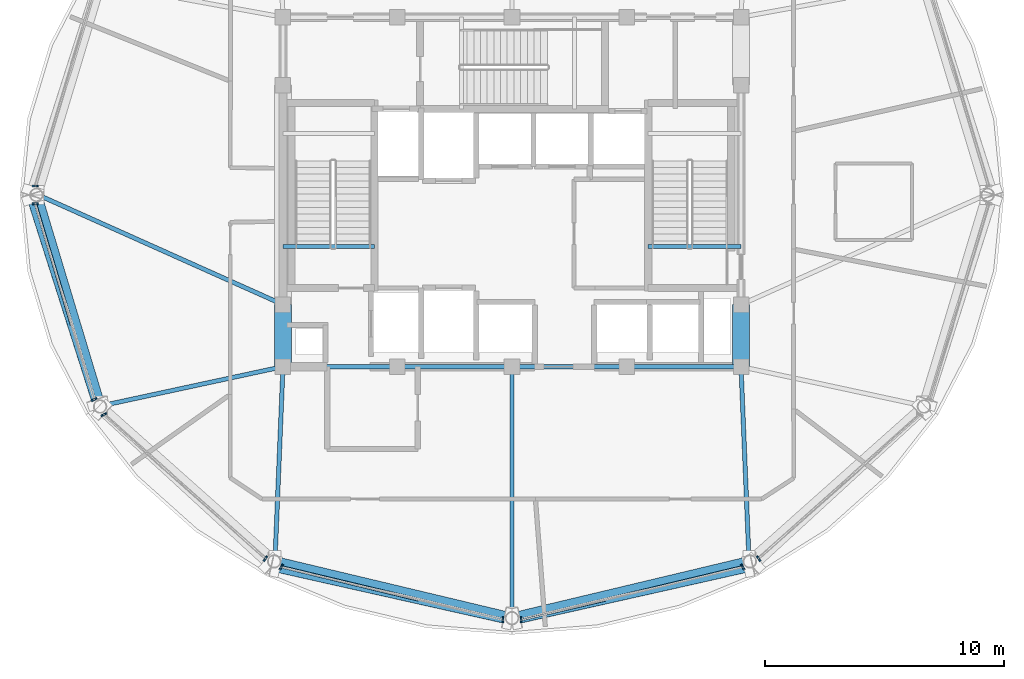
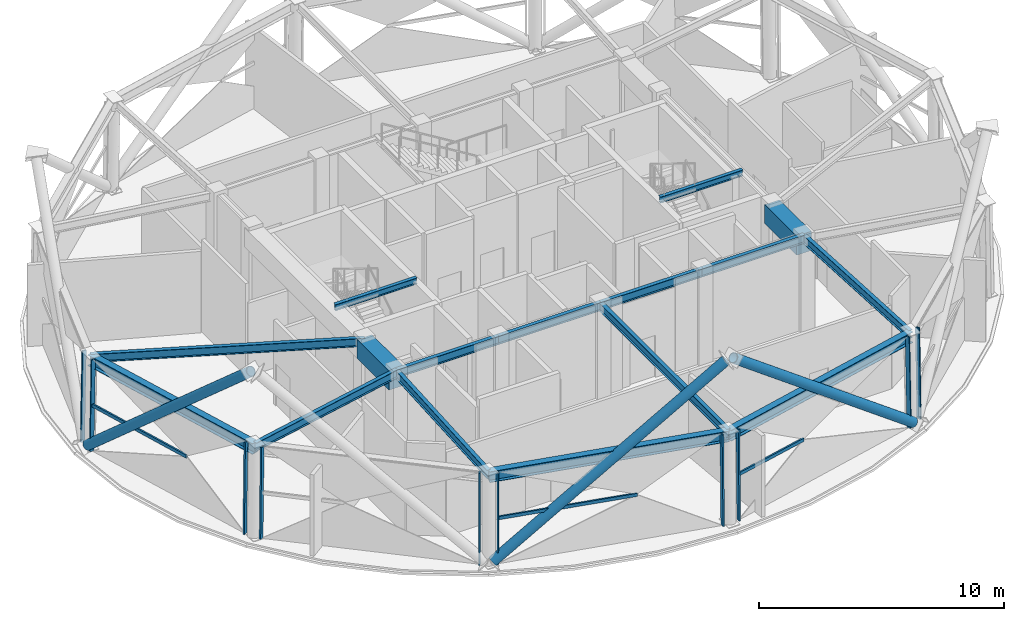
# One storey, part 2 of 14: 16 beams, 16 members, 6 elements without a shape of their own.
"""IFC4 building model written with IfcOpenShell, lengths in metres."""

from ifc_helpers import new_model, si_unit, direction, frame, origin, origin_2d, place, context, subcontext, project, spatial, rectangle, hollow_rectangle, hollow_circle, i_section, extrude, material, layer, layer_set, material_profile, profile_set, type_object, element, aggregate, save


model = new_model("IFC4")

# Units and contexts
model_context = context("Model", 3, precision=1e-05, world=origin(), true_north=direction((0.0, 1.0)))
body_context = subcontext(model_context, "Body", "Model", "MODEL_VIEW")
ifc_project = project(units=[si_unit("LENGTHUNIT", "METRE"), si_unit("AREAUNIT", "SQUARE_METRE"), si_unit("VOLUMEUNIT", "CUBIC_METRE"), si_unit("PLANEANGLEUNIT", "RADIAN"), si_unit("MASSUNIT", "GRAM", prefix="KILO")], contexts=[model_context])

# Site, building, storey
site_placement = place(None, origin())
site = spatial("IfcSite", under=ifc_project, at=site_placement, CompositionType="ELEMENT")
building_placement = place(site_placement, origin())
building = spatial("IfcBuilding", under=site, at=building_placement, Name="Vantalir Tower", CompositionType="ELEMENT")
storey_placement = place(building_placement, frame((0.0, 0.0, 259.050048828125)))
storey = spatial("IfcBuildingStorey", under=building, at=storey_placement, Name="L65", CompositionType="ELEMENT", Elevation=259.050048828125)

# Beams
ifc_material_1 = material(Name="Concrete C60/75", Category="concrete")
ifc_material_profile_1 = material_profile(ifc_material_1, rectangle(XDim=0.699951171875, YDim=0.949951171875, at=origin_2d()), Name="Concrete C60/75")
ifc_profile_set_1 = profile_set([ifc_material_profile_1], Name="Concrete C60/75")
beam_type_1 = type_object("IfcBeamType", Name="BM-CB-700x950", PredefinedType="USERDEFINED", material=ifc_profile_set_1)
for number, where, z_axis, x_axis, name in (
    (1, (41.10009765625, 17.800048828125, 4.14501953125), (0.0, 1.0, 0.0), (-1.0, 0.0, 0.0), "L65 Core Coupling Girder 05"),
    (2, (21.89990234375, 20.39990234375, 4.14501953125), (0.0, -1.0, 0.0), (1.0, 0.0, 0.0), "L65 Core Coupling Girder 14"),
):
    element("IfcBeam", number, at=place(storey_placement, frame(where, z_axis=z_axis, x_axis=x_axis)), inside=storey, type_object=beam_type_1, Name=name, ObjectType="GIRDER", PredefinedType="USERDEFINED", context=body_context, shape_type="SweptSolid", body=[
        extrude(rectangle(XDim=0.699951171875, YDim=0.949951171875, at=origin_2d()), origin(), (0.0, 0.0, 1.0), 2.599853515625),
    ])
ifc_material_2 = material(Name="Steel S355", Category="steel")
ifc_material_profile_2 = material_profile(ifc_material_2, i_section(OverallWidth=0.166015625, OverallDepth=0.306884765625, WebThickness=0.006591796875, FlangeThickness=0.01171875, at=origin_2d()), Name="Steel S355")
ifc_profile_set_2 = profile_set([ifc_material_profile_2], Name="Steel S355")
beam_type_2 = type_object("IfcBeamType", Name="BM-JS-305x165", PredefinedType="JOIST", material=ifc_profile_set_2)
beam_1_placement = place(storey_placement, frame((21.89990234375, 22.8349609375, 4.64599609375), z_axis=(1.0, 0.0, 0.0), x_axis=(0.0, 1.0, 0.0)))
element("IfcBeam", 3, at=beam_1_placement, inside=storey, type_object=beam_type_2, Name="L66 Stair ST1 Well Nosing Trimmer Beam", PredefinedType="JOIST", context=body_context, shape_type="SweptSolid", body=[
    extrude(i_section(OverallWidth=0.166015625, OverallDepth=0.306884765625, WebThickness=0.006591796875, FlangeThickness=0.01171875, at=origin_2d()), origin(), (0.0, 0.0, 1.0), 3.840087890625),
])
beam_2_placement = place(storey_placement, frame((37.2099609375, 22.8349609375, 4.64599609375), z_axis=(1.0, 0.0, 0.0), x_axis=(0.0, 1.0, 0.0)))
element("IfcBeam", 4, at=beam_2_placement, inside=storey, type_object=beam_type_2, Name="L66 Stair ST2 Well Nosing Trimmer Beam", PredefinedType="JOIST", context=body_context, shape_type="SweptSolid", body=[
    extrude(i_section(OverallWidth=0.166015625, OverallDepth=0.306884765625, WebThickness=0.006591796875, FlangeThickness=0.01171875, at=origin_2d()), origin(), (0.0, 0.0, 1.0), 3.89013671875),
])
ifc_material_profile_3 = material_profile(ifc_material_2, i_section(OverallWidth=0.179931640625, OverallDepth=0.4130859375, WebThickness=0.009521484375, FlangeThickness=0.01611328125, at=origin_2d()), Name="Steel S355")
ifc_profile_set_3 = profile_set([ifc_material_profile_3], Name="Steel S355")
beam_type_3 = type_object("IfcBeamType", Name="BM-RB-406x178", PredefinedType="BEAM", material=ifc_profile_set_3)
for number, where, z_axis, x_axis, name in (
    (5, (21.89990234375, 17.800048828125, 4.4140625), (1.0, 0.0, 0.0), (0.0, 1.0, 0.0), "L65 Core Coupling Girder 01"),
    (6, (26.699951171875, 17.800048828125, 4.4140625), (1.0, 0.0, 0.0), (0.0, 1.0, 0.0), "L65 Core Coupling Girder 02"),
    (7, (31.5, 17.800048828125, 4.4140625), (1.0, 0.0, 0.0), (0.0, 1.0, 0.0), "L65 Core Coupling Girder 03"),
    (8, (36.300048828125, 17.800048828125, 4.4140625), (1.0, 0.0, 0.0), (0.0, 1.0, 0.0), "L65 Core Coupling Girder 04"),
):
    element("IfcBeam", number, at=place(storey_placement, frame(where, z_axis=z_axis, x_axis=x_axis)), inside=storey, type_object=beam_type_3, Name=name, PredefinedType="BEAM", context=body_context, shape_type="SweptSolid", body=[
        extrude(i_section(OverallWidth=0.179931640625, OverallDepth=0.4130859375, WebThickness=0.009521484375, FlangeThickness=0.01611328125, at=origin_2d()), origin(), (0.0, 0.0, 1.0), 4.800048828125),
    ])
beam_3_placement = place(storey_placement, frame((11.6298828125, 25.0, 4.4140625), z_axis=(0.912632151468, -0.408781795225, 0.0), x_axis=(0.408781795225, 0.912632151468, 0.0)))
element("IfcBeam", 9, at=beam_3_placement, inside=storey, type_object=beam_type_3, Name="L65 Radial Floor Beam 07", PredefinedType="BEAM", context=body_context, shape_type="SweptSolid", body=[
    extrude(i_section(OverallWidth=0.179931640625, OverallDepth=0.4130859375, WebThickness=0.009521484375, FlangeThickness=0.01611328125, at=origin_2d()), origin(), (0.0, 0.0, 1.0), 11.253173828125),
])
beam_4_placement = place(storey_placement, frame((14.2919921875, 16.158935546875, 4.4140625), z_axis=(0.977515973156, 0.21086138154, 0.0), x_axis=(-0.21086138154, 0.977515973156, 0.0)))
element("IfcBeam", 10, at=beam_4_placement, inside=storey, type_object=beam_type_3, Name="L65 Radial Floor Beam 08", PredefinedType="BEAM", context=body_context, shape_type="SweptSolid", body=[
    extrude(i_section(OverallWidth=0.179931640625, OverallDepth=0.4130859375, WebThickness=0.009521484375, FlangeThickness=0.01611328125, at=origin_2d()), origin(), (0.0, 0.0, 1.0), 7.782958984375),
])
beam_5_placement = place(storey_placement, frame((21.56494140625, 9.68701171875, 4.4140625), z_axis=(0.041251606637, 0.999148790196, 0.0), x_axis=(-0.999148790196, 0.041251606637, 0.0)))
element("IfcBeam", 11, at=beam_5_placement, inside=storey, type_object=beam_type_3, Name="L65 Radial Floor Beam 09", PredefinedType="BEAM", context=body_context, shape_type="SweptSolid", body=[
    extrude(i_section(OverallWidth=0.179931640625, OverallDepth=0.4130859375, WebThickness=0.009521484375, FlangeThickness=0.01611328125, at=origin_2d()), origin(), (0.0, 0.0, 1.0), 8.119873046875),
])
beam_6_placement = place(storey_placement, frame((31.5, 7.318115234375, 4.4140625), z_axis=(0.0, 1.0, 0.0), x_axis=(-1.0, 0.0, 0.0)))
element("IfcBeam", 12, at=beam_6_placement, inside=storey, type_object=beam_type_3, Name="L65 Radial Floor Beam 10", PredefinedType="BEAM", context=body_context, shape_type="SweptSolid", body=[
    extrude(i_section(OverallWidth=0.179931640625, OverallDepth=0.4130859375, WebThickness=0.009521484375, FlangeThickness=0.01611328125, at=origin_2d()), origin(), (0.0, 0.0, 1.0), 10.48193359375),
])
beam_7_placement = place(storey_placement, frame((41.43505859375, 9.68701171875, 4.4140625), z_axis=(-0.041251606637, 0.999148790196, 0.0), x_axis=(-0.999148790196, -0.041251606637, 0.0)))
element("IfcBeam", 13, at=beam_7_placement, inside=storey, type_object=beam_type_3, Name="L65 Radial Floor Beam 11", PredefinedType="BEAM", context=body_context, shape_type="SweptSolid", body=[
    extrude(i_section(OverallWidth=0.179931640625, OverallDepth=0.4130859375, WebThickness=0.009521484375, FlangeThickness=0.01611328125, at=origin_2d()), origin(), (0.0, 0.0, 1.0), 8.119873046875),
])
ifc_material_3 = material(Name="Steel S460", Category="steel")
ifc_material_profile_4 = material_profile(ifc_material_3, i_section(OverallWidth=0.31201171875, OverallDepth=0.5419921875, WebThickness=0.0126953125, FlangeThickness=0.020263671875, at=origin_2d()), Name="Steel S460")
ifc_profile_set_4 = profile_set([ifc_material_profile_4], Name="Steel S460")
beam_type_4 = type_object("IfcBeamType", Name="BM-RG-533x312", PredefinedType="USERDEFINED", material=ifc_profile_set_4)
beam_8_placement = place(storey_placement, frame((11.6298828125, 25.0, 4.348876953125), z_axis=(0.288320501525, -0.957533962009, 0.0), x_axis=(0.957533962009, 0.288320501525, 0.0)))
element("IfcBeam", 14, at=beam_8_placement, inside=storey, type_object=beam_type_4, Name="L65 Circumferential Ring Girder 07", ObjectType="GIRDER", PredefinedType="USERDEFINED", context=body_context, shape_type="SweptSolid", body=[
    extrude(i_section(OverallWidth=0.31201171875, OverallDepth=0.5419921875, WebThickness=0.0126953125, FlangeThickness=0.020263671875, at=origin_2d()), origin(), (0.0, 0.0, 1.0), 9.233154296875),
])
for number, where, z_axis, x_axis, name in (
    (15, (21.56494140625, 9.68701171875, 4.348876953125), (0.972731016062, -0.231936134291, 0.0), (0.231936134291, 0.972731016062, 0.0), "L65 Circumferential Ring Girder 09"),
    (16, (31.5, 7.318115234375, 4.348876953125), (0.972731016062, 0.231936134291, 0.0), (-0.231936134291, 0.972731016062, 0.0), "L65 Circumferential Ring Girder 10"),
):
    element("IfcBeam", number, at=place(storey_placement, frame(where, z_axis=z_axis, x_axis=x_axis)), inside=storey, type_object=beam_type_4, Name=name, ObjectType="GIRDER", PredefinedType="USERDEFINED", context=body_context, shape_type="SweptSolid", body=[
        extrude(i_section(OverallWidth=0.31201171875, OverallDepth=0.5419921875, WebThickness=0.0126953125, FlangeThickness=0.020263671875, at=origin_2d()), origin(), (0.0, 0.0, 1.0), 10.213623046875),
    ])

# Curtain wall, member
ifc_material_4 = material(Name="Champagne-silver PVDF aluminium and double-silver Low-E glass", Category="aluminium")
ifc_layer = layer(ifc_material_4, 0.22998046875)
ifc_layer_set = layer_set([ifc_layer], Name="Champagne-silver PVDF aluminium and double-silver Low-E glass")
curtain_wall_type = type_object("IfcCurtainWallType", Name="CW-SKYLOBBY", PredefinedType="USERDEFINED", material=ifc_layer_set)
curtain_wall_1_placement = place(storey_placement, origin())
curtain_wall_1 = element("IfcCurtainWall", 17, at=curtain_wall_1_placement, inside=storey, type_object=curtain_wall_type, Name="L65 Quilted Pyramid-Diamond Curtain Wall S06", ObjectType="UNITISED CURTAIN WALL", PredefinedType="USERDEFINED")
ifc_material_5 = material(Name="Champagne-silver PVDF aluminium 6063-T6", Category="aluminium")
ifc_material_profile_5 = material_profile(ifc_material_5, hollow_rectangle(XDim=0.074951171875, YDim=0.179931640625, WallThickness=0.00390625, at=origin_2d()), Name="Champagne-silver PVDF aluminium 6063-T6")
ifc_profile_set_5 = profile_set([ifc_material_profile_5], Name="Champagne-silver PVDF aluminium 6063-T6")
member_type_1 = type_object("IfcMemberType", Name="CWM-180x75", PredefinedType="MULLION", material=ifc_profile_set_5)
member_1_placement = place(storey_placement, frame((11.471923828125, 25.373046875, 0.044921875), z_axis=(0.017674414706, 0.0, 0.999843795332), x_axis=(0.0, 1.0, 0.0)))
member_1 = element("IfcMember", 18, at=member_1_placement, type_object=member_type_1, Name="CW-L65-S06 Mullion 2", PredefinedType="MULLION", context=body_context, shape_type="SweptSolid", body=[
    extrude(hollow_rectangle(XDim=0.074951171875, YDim=0.179931640625, WallThickness=0.00390625, at=origin_2d()), origin(), (0.0, 0.0, 1.0), 4.53076171875),
])
aggregate(curtain_wall_1, [member_1])

# Curtain wall, members
curtain_wall_2_placement = place(storey_placement, origin())
curtain_wall_2 = element("IfcCurtainWall", 19, at=curtain_wall_2_placement, inside=storey, type_object=curtain_wall_type, Name="L65 Quilted Pyramid-Diamond Curtain Wall S07", ObjectType="UNITISED CURTAIN WALL", PredefinedType="USERDEFINED")
member_2_placement = place(storey_placement, frame((11.471923828125, 24.626953125, 0.044921875), z_axis=(0.017674414706, 0.0, 0.999843795332), x_axis=(0.0, 1.0, 0.0)))
member_2 = element("IfcMember", 20, at=member_2_placement, type_object=member_type_1, Name="CW-L65-S07 Mullion 1", PredefinedType="MULLION", context=body_context, shape_type="SweptSolid", body=[
    extrude(hollow_rectangle(XDim=0.074951171875, YDim=0.179931640625, WallThickness=0.00390625, at=origin_2d()), origin(), (0.0, 0.0, 1.0), 4.53076171875),
])
member_3_placement = place(storey_placement, frame((13.946044921875, 16.40087890625, 0.044921875), z_axis=(0.015465187209, 0.007975079118, 0.999848601588), x_axis=(-0.458327357576, 0.888783456921, 0.0)))
member_3 = element("IfcMember", 21, at=member_3_placement, type_object=member_type_1, Name="CW-L65-S07 Mullion 2", PredefinedType="MULLION", context=body_context, shape_type="SweptSolid", body=[
    extrude(hollow_rectangle(XDim=0.074951171875, YDim=0.179931640625, WallThickness=0.00390625, at=origin_2d()), origin(), (0.0, 0.0, 1.0), 4.53076171875),
])

curtain_wall_3_placement = place(storey_placement, origin())
curtain_wall_3 = element("IfcCurtainWall", 22, at=curtain_wall_3_placement, inside=storey, type_object=curtain_wall_type, Name="L65 Quilted Pyramid-Diamond Curtain Wall S08", ObjectType="UNITISED CURTAIN WALL", PredefinedType="USERDEFINED")
member_4_placement = place(storey_placement, frame((14.34912109375, 15.76904296875, 0.044921875), z_axis=(0.01541132096, 0.007921203431, 0.99984986159), x_axis=(-0.457137201468, 0.88939618789, 0.0)))
member_4 = element("IfcMember", 23, at=member_4_placement, type_object=member_type_1, Name="CW-L65-S08 Mullion 1", PredefinedType="MULLION", context=body_context, shape_type="SweptSolid", body=[
    extrude(hollow_rectangle(XDim=0.074951171875, YDim=0.179931640625, WallThickness=0.00390625, at=origin_2d()), origin(), (0.0, 0.0, 1.0), 4.53076171875),
])
member_5_placement = place(storey_placement, frame((21.138916015625, 9.718994140625, 0.044921875), z_axis=(0.008837414847, 0.013687215678, 0.999867271304), x_axis=(-0.840102178973, 0.54242817855, 0.0)))
member_5 = element("IfcMember", 24, at=member_5_placement, type_object=member_type_1, Name="CW-L65-S08 Mullion 2", PredefinedType="MULLION", context=body_context, shape_type="SweptSolid", body=[
    extrude(hollow_rectangle(XDim=0.074951171875, YDim=0.179931640625, WallThickness=0.00390625, at=origin_2d()), origin(), (0.0, 0.0, 1.0), 4.530517578125),
])
aggregate(curtain_wall_3, [member_4, member_5])

curtain_wall_4_placement = place(storey_placement, origin())
curtain_wall_4 = element("IfcCurtainWall", 25, at=curtain_wall_4_placement, inside=storey, type_object=curtain_wall_type, Name="L65 Quilted Pyramid-Diamond Curtain Wall S09", ObjectType="UNITISED CURTAIN WALL", PredefinedType="USERDEFINED")
member_6_placement = place(storey_placement, frame((21.80908203125, 9.368896484375, 0.044921875), z_axis=(0.008837414847, 0.013687215678, 0.999867271304), x_axis=(-0.840102178973, 0.54242817855, 0.0)))
member_6 = element("IfcMember", 26, at=member_6_placement, type_object=member_type_1, Name="CW-L65-S09 Mullion 1", PredefinedType="MULLION", context=body_context, shape_type="SweptSolid", body=[
    extrude(hollow_rectangle(XDim=0.074951171875, YDim=0.179931640625, WallThickness=0.00390625, at=origin_2d()), origin(), (0.0, 0.0, 1.0), 4.530517578125),
])
member_7_placement = place(storey_placement, frame((31.12109375, 7.14697265625, 0.044921875), z_axis=(0.0, 0.015896670643, 0.999873639948), x_axis=(-1.0, 0.0, 0.0)))
member_7 = element("IfcMember", 27, at=member_7_placement, type_object=member_type_1, Name="CW-L65-S09 Mullion 2", PredefinedType="MULLION", context=body_context, shape_type="SweptSolid", body=[
    extrude(hollow_rectangle(XDim=0.074951171875, YDim=0.179931640625, WallThickness=0.00390625, at=origin_2d()), origin(), (0.0, 0.0, 1.0), 4.530517578125),
])

curtain_wall_5_placement = place(storey_placement, origin())
curtain_wall_5 = element("IfcCurtainWall", 28, at=curtain_wall_5_placement, inside=storey, type_object=curtain_wall_type, Name="L65 Quilted Pyramid-Diamond Curtain Wall S10", ObjectType="UNITISED CURTAIN WALL", PredefinedType="USERDEFINED")
member_8_placement = place(storey_placement, frame((31.87890625, 7.14697265625, 0.044921875), z_axis=(0.0, 0.015896670643, 0.999873639948), x_axis=(-1.0, 0.0, 0.0)))
member_8 = element("IfcMember", 29, at=member_8_placement, type_object=member_type_1, Name="CW-L65-S10 Mullion 1", PredefinedType="MULLION", context=body_context, shape_type="SweptSolid", body=[
    extrude(hollow_rectangle(XDim=0.074951171875, YDim=0.179931640625, WallThickness=0.00390625, at=origin_2d()), origin(), (0.0, 0.0, 1.0), 4.530517578125),
])
member_9_placement = place(storey_placement, frame((41.19091796875, 9.368896484375, 0.044921875), z_axis=(-0.008837414847, 0.013687215678, 0.999867271304), x_axis=(-0.840102178973, -0.54242817855, 0.0)))
member_9 = element("IfcMember", 30, at=member_9_placement, type_object=member_type_1, Name="CW-L65-S10 Mullion 2", PredefinedType="MULLION", context=body_context, shape_type="SweptSolid", body=[
    extrude(hollow_rectangle(XDim=0.074951171875, YDim=0.179931640625, WallThickness=0.00390625, at=origin_2d()), origin(), (0.0, 0.0, 1.0), 4.530517578125),
])

# Curtain wall, member
curtain_wall_6_placement = place(storey_placement, origin())
curtain_wall_6 = element("IfcCurtainWall", 31, at=curtain_wall_6_placement, inside=storey, type_object=curtain_wall_type, Name="L65 Quilted Pyramid-Diamond Curtain Wall S11", ObjectType="UNITISED CURTAIN WALL", PredefinedType="USERDEFINED")
member_10_placement = place(storey_placement, frame((41.861083984375, 9.718994140625, 0.044921875), z_axis=(-0.008837414847, 0.013687215678, 0.999867271304), x_axis=(-0.840102178973, -0.54242817855, 0.0)))
member_10 = element("IfcMember", 32, at=member_10_placement, type_object=member_type_1, Name="CW-L65-S11 Mullion 1", PredefinedType="MULLION", context=body_context, shape_type="SweptSolid", body=[
    extrude(hollow_rectangle(XDim=0.074951171875, YDim=0.179931640625, WallThickness=0.00390625, at=origin_2d()), origin(), (0.0, 0.0, 1.0), 4.530517578125),
])
aggregate(curtain_wall_6, [member_10])

# Member
ifc_material_profile_6 = material_profile(ifc_material_5, hollow_rectangle(XDim=0.074951171875, YDim=0.159912109375, WallThickness=0.00390625, at=origin_2d()), Name="Champagne-silver PVDF aluminium 6063-T6")
ifc_profile_set_6 = profile_set([ifc_material_profile_6], Name="Champagne-silver PVDF aluminium 6063-T6")
member_type_2 = type_object("IfcMemberType", Name="CWT-160x75", PredefinedType="USERDEFINED", material=ifc_profile_set_6)
member_11_placement = place(storey_placement, frame((11.511962890625, 24.626953125, 2.31005859375), z_axis=(0.283767664913, -0.95889306617, 0.0), x_axis=(0.95889306617, 0.283767664913, 0.0)))
member_11 = element("IfcMember", 33, at=member_11_placement, type_object=member_type_2, Name="CW-L65-S07 Pyramid Fold Ridge Transom", ObjectType="TRANSOM", PredefinedType="USERDEFINED", context=body_context, shape_type="SweptSolid", body=[
    extrude(hollow_rectangle(XDim=0.074951171875, YDim=0.159912109375, WallThickness=0.00390625, at=origin_2d()), origin(), (0.0, 0.0, 1.0), 5.314453125),
])

aggregate(curtain_wall_2, [member_2, member_3, member_11])

member_12_placement = place(storey_placement, frame((21.8291015625, 9.39990234375, 2.31005859375), z_axis=(0.971749922811, -0.23601289693, 0.0), x_axis=(0.23601289693, 0.971749922811, 0.0)))
member_12 = element("IfcMember", 34, at=member_12_placement, type_object=member_type_2, Name="CW-L65-S09 Pyramid Fold Ridge Transom", ObjectType="TRANSOM", PredefinedType="USERDEFINED", context=body_context, shape_type="SweptSolid", body=[
    extrude(hollow_rectangle(XDim=0.074951171875, YDim=0.159912109375, WallThickness=0.00390625, at=origin_2d()), origin(), (0.0, 0.0, 1.0), 5.923095703125),
])

aggregate(curtain_wall_4, [member_6, member_7, member_12])

member_13_placement = place(storey_placement, frame((31.87890625, 7.18310546875, 2.31005859375), z_axis=(0.974220873036, 0.225596299928, 0.0), x_axis=(-0.225596299928, 0.974220873036, 0.0)))
member_13 = element("IfcMember", 35, at=member_13_placement, type_object=member_type_2, Name="CW-L65-S10 Pyramid Fold Ridge Transom", ObjectType="TRANSOM", PredefinedType="USERDEFINED", context=body_context, shape_type="SweptSolid", body=[
    extrude(hollow_rectangle(XDim=0.074951171875, YDim=0.159912109375, WallThickness=0.00390625, at=origin_2d()), origin(), (0.0, 0.0, 1.0), 3.629638671875),
])

aggregate(curtain_wall_5, [member_8, member_9, member_13])

# Members
ifc_material_profile_7 = material_profile(ifc_material_3, hollow_circle(Radius=0.22998046875, WallThickness=0.028076171875, at=origin_2d()), Name="Steel S460")
ifc_profile_set_7 = profile_set([ifc_material_profile_7], Name="Steel S460")
member_type_3 = type_object("IfcMemberType", Name="MEM-DB-460x28", PredefinedType="BRACE", material=ifc_profile_set_7)
member_14_placement = place(storey_placement, frame((11.409912109375, 24.843017578125, 0.224853515625), z_axis=(0.228123532228, -0.715686457544, 0.660115556954), x_axis=(0.952769829622, 0.303693351527, 0.0)))
element("IfcMember", 36, at=member_14_placement, inside=storey, type_object=member_type_3, Name="L65 Perimeter S460 Diagrid Brace R19L", PredefinedType="BRACE", context=body_context, shape_type="SweptSolid", body=[
    extrude(hollow_circle(Radius=0.22998046875, WallThickness=0.028076171875, at=origin_2d()), origin(), (0.0, 0.0, 1.0), 11.998046875),
])
for number, where, z_axis, x_axis, name in (
    (37, (21.597900390625, 9.422119140625, 0.217041015625), (0.763597326777, -0.171407691672, 0.622525923777), (0.219023602856, 0.975719560833, 0.0), "L65 Perimeter S460 Diagrid Brace R25L"),
    (38, (41.402099609375, 9.422119140625, 0.217041015625), (-0.763597326777, -0.171407691672, 0.622525923777), (0.219023602856, -0.975719560833, 0.0), "L65 Perimeter S460 Diagrid Brace R31R"),
):
    element("IfcMember", number, at=place(storey_placement, frame(where, z_axis=z_axis, x_axis=x_axis)), inside=storey, type_object=member_type_3, Name=name, PredefinedType="BRACE", context=body_context, shape_type="SweptSolid", body=[
        extrude(hollow_circle(Radius=0.22998046875, WallThickness=0.028076171875, at=origin_2d()), origin(), (0.0, 0.0, 1.0), 12.747802734375),
    ])

save(model, "model.ifc")
